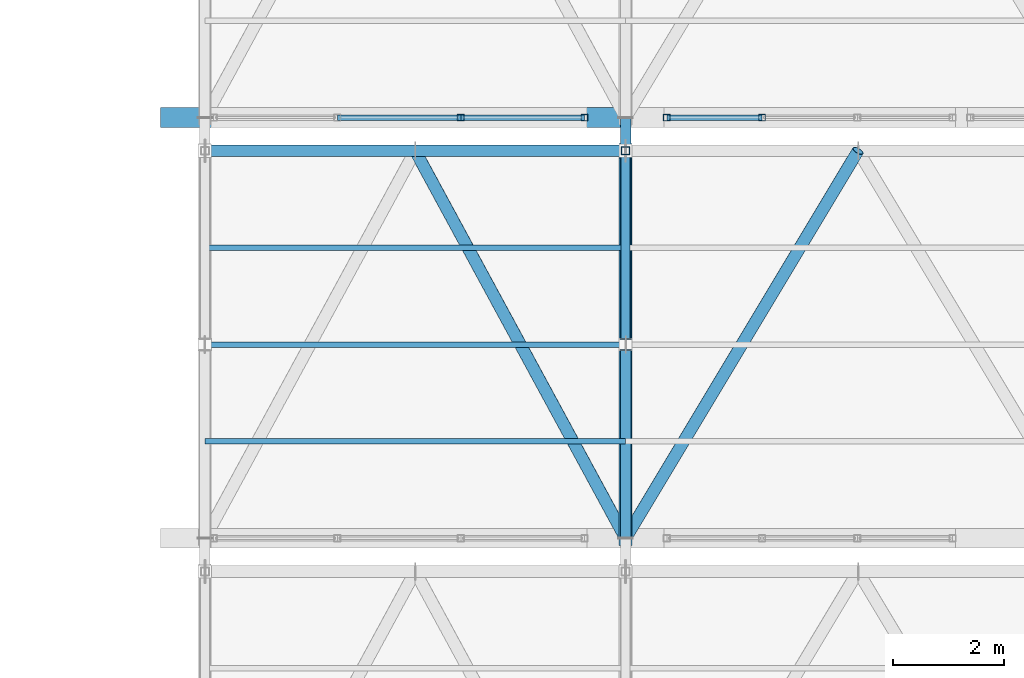
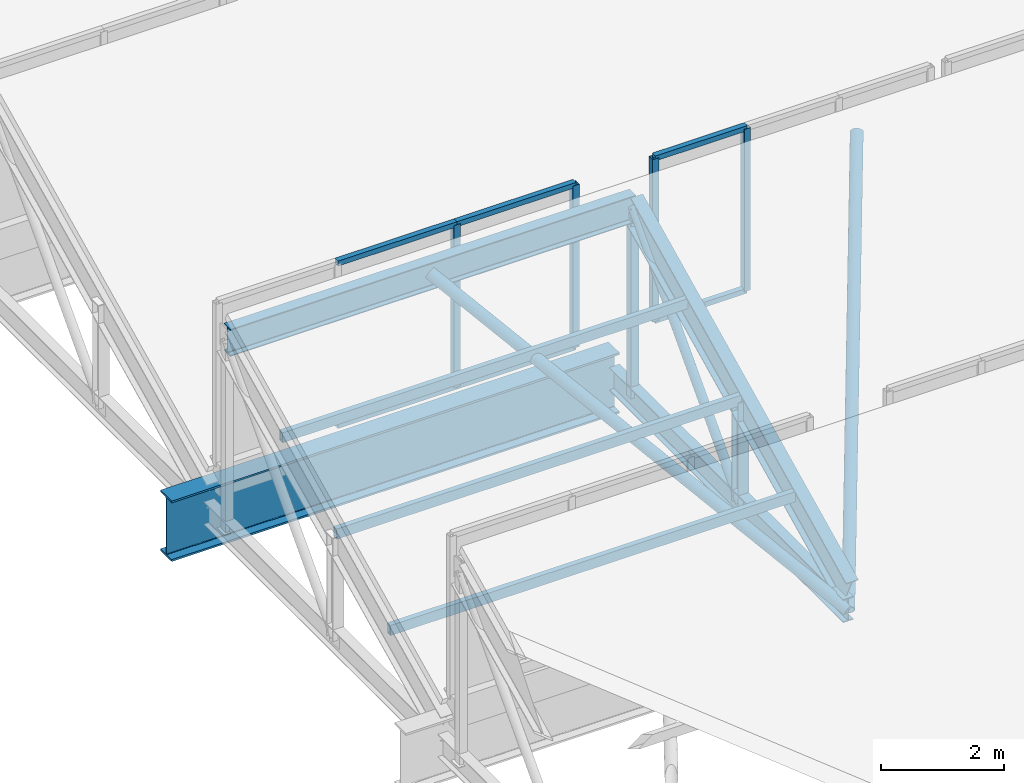
# One storey, part 8 of 57: 21 members, 1 beam, 2 elements without a shape of their own.
"""IFC4 building model written with IfcOpenShell, lengths in metres."""

from ifc_helpers import new_model, si_unit, direction, frame, origin, origin_2d, place, context, subcontext, project, spatial, hollow_rectangle, hollow_circle, i_section, extrude, material, material_profile, profile_set, type_object, element, aggregate, save


model = new_model("IFC4")

# Units and contexts
model_context = context("Model", 3, precision=1e-05, world=origin(), true_north=direction((0.0, 1.0)))
body_context = subcontext(model_context, "Body", "Model", "MODEL_VIEW")
ifc_project = project(units=[si_unit("LENGTHUNIT", "METRE"), si_unit("AREAUNIT", "SQUARE_METRE"), si_unit("VOLUMEUNIT", "CUBIC_METRE"), si_unit("PLANEANGLEUNIT", "RADIAN"), si_unit("MASSUNIT", "GRAM", prefix="KILO")], contexts=[model_context])

# Site, building, storey
site_placement = place(None, origin())
site = spatial("IfcSite", under=ifc_project, at=site_placement, CompositionType="ELEMENT")
building_placement = place(site_placement, origin())
building = spatial("IfcBuilding", under=site, at=building_placement, Name="Zuvorla Pavilion Media Centre", CompositionType="ELEMENT")
storey_placement = place(building_placement, frame((0.0, 0.0, 18.0)))
storey = spatial("IfcBuildingStorey", under=building, at=storey_placement, Name="L04", CompositionType="ELEMENT", Elevation=18.0)

# Beam
ifc_material_1 = material(Name="Steel S355", Category="steel")
ifc_material_profile_1 = material_profile(ifc_material_1, i_section(OverallWidth=0.360107421875, OverallDepth=1.199951171875, WebThickness=0.02001953125, FlangeThickness=0.0380859375, FilletRadius=0.02392578125, at=origin_2d()), Name="PG 1200x360x38")
ifc_profile_set_1 = profile_set([ifc_material_profile_1], Name="Steel S355")
beam_type = type_object("IfcBeamType", Name="BM-PG1200", PredefinedType="BEAM", material=ifc_profile_set_1)
beam_placement = place(storey_placement, frame((117.199951171875, 21.199951171875, -0.887939453125), z_axis=(1.0, 0.0, 0.0), x_axis=(0.0, 1.0, 0.0)))
element("IfcBeam", 1, at=beam_placement, inside=storey, type_object=beam_type, Name="L04 beam B01 1820", PredefinedType="BEAM", context=body_context, shape_type="SweptSolid", body=[
    extrude(i_section(OverallWidth=0.360107421875, OverallDepth=1.199951171875, WebThickness=0.02001953125, FlangeThickness=0.0380859375, FilletRadius=0.02392578125, at=origin_2d()), origin(), (0.0, 0.0, 1.0), 8.400146484375),
])

# Curtain wall, members
ifc_material_2 = material(Name="Unitised anodised aluminium and solar glass curtain wall", Category="aluminium")
curtain_wall_type_1 = type_object("IfcCurtainWallType", Name="CW-SYS-90", PredefinedType="USERDEFINED", material=ifc_material_2)
curtain_wall_1_placement = place(storey_placement, origin())
curtain_wall_1 = element("IfcCurtainWall", 2, at=curtain_wall_1_placement, inside=storey, type_object=curtain_wall_type_1, Name="L04 curtain wall CW90 230", ObjectType="CURTAIN WALL", PredefinedType="USERDEFINED")
ifc_material_3 = material(Name="Anodised aluminium 6063-T6", Category="aluminium")
ifc_material_profile_2 = material_profile(ifc_material_3, hollow_rectangle(XDim=0.1201171875, YDim=0.1201171875, WallThickness=0.0048828125, at=origin_2d()), Name="ALU MULL 120x120")
ifc_profile_set_2 = profile_set([ifc_material_profile_2], Name="Anodised aluminium 6063-T6")
member_type_1 = type_object("IfcMemberType", Name="CW-MULL-120", PredefinedType="MULLION", material=ifc_profile_set_2)
member_1_placement = place(storey_placement, frame((122.623779296875, 21.199951171875, 0.0), z_axis=(0.0, 0.0, 1.0), x_axis=(1.0, 0.0, 0.0)))
member_1 = element("IfcMember", 3, at=member_1_placement, type_object=member_type_1, Name="CW90 mullion 3", PredefinedType="MULLION", context=body_context, shape_type="SweptSolid", body=[
    extrude(hollow_rectangle(XDim=0.1201171875, YDim=0.1201171875, WallThickness=0.0048828125, at=origin_2d()), origin(), (0.0, 0.0, 1.0), 3.219970703125),
])
member_2_placement = place(storey_placement, frame((124.855712890625, 21.199951171875, 0.0), z_axis=(0.0, 0.0, 1.0), x_axis=(1.0, 0.0, 0.0)))
member_2 = element("IfcMember", 4, at=member_2_placement, type_object=member_type_1, Name="CW90 mullion 4", PredefinedType="MULLION", context=body_context, shape_type="SweptSolid", body=[
    extrude(hollow_rectangle(XDim=0.1201171875, YDim=0.1201171875, WallThickness=0.0048828125, at=origin_2d()), origin(), (0.0, 0.0, 1.0), 3.219970703125),
])

curtain_wall_type_2 = type_object("IfcCurtainWallType", Name="CW-SYS-91", PredefinedType="USERDEFINED", material=ifc_material_2)
curtain_wall_2_placement = place(storey_placement, origin())
curtain_wall_2 = element("IfcCurtainWall", 5, at=curtain_wall_2_placement, inside=storey, type_object=curtain_wall_type_2, Name="L04 curtain wall CW91 231", ObjectType="CURTAIN WALL", PredefinedType="USERDEFINED")
member_3_placement = place(storey_placement, frame((126.34423828125, 21.199951171875, 0.0), z_axis=(0.0, 0.0, 1.0), x_axis=(1.0, 0.0, 0.0)))
member_3 = element("IfcMember", 6, at=member_3_placement, type_object=member_type_1, Name="CW91 mullion 1", PredefinedType="MULLION", context=body_context, shape_type="SweptSolid", body=[
    extrude(hollow_rectangle(XDim=0.1201171875, YDim=0.1201171875, WallThickness=0.0048828125, at=origin_2d()), origin(), (0.0, 0.0, 1.0), 3.219970703125),
])
member_4_placement = place(storey_placement, frame((128.065185546875, 21.199951171875, 0.0), z_axis=(0.0, 0.0, 1.0), x_axis=(1.0, 0.0, 0.0)))
member_4 = element("IfcMember", 7, at=member_4_placement, type_object=member_type_1, Name="CW91 mullion 2", PredefinedType="MULLION", context=body_context, shape_type="SweptSolid", body=[
    extrude(hollow_rectangle(XDim=0.1201171875, YDim=0.1201171875, WallThickness=0.0048828125, at=origin_2d()), origin(), (0.0, 0.0, 1.0), 3.219970703125),
])

# Member
ifc_material_profile_3 = material_profile(ifc_material_3, hollow_rectangle(XDim=0.10009765625, YDim=0.10009765625, WallThickness=0.00439453125, at=origin_2d()), Name="ALU TRAN 100x100")
ifc_profile_set_3 = profile_set([ifc_material_profile_3], Name="Anodised aluminium 6063-T6")
member_type_2 = type_object("IfcMemberType", Name="CW-TRAN-100", PredefinedType="USERDEFINED", material=ifc_profile_set_3)
member_5_placement = place(storey_placement, frame((120.391845703125, 21.199951171875, 0.0), z_axis=(1.0, 0.0, 0.0), x_axis=(0.0, 1.0, 0.0)))
member_5 = element("IfcMember", 8, at=member_5_placement, type_object=member_type_2, Name="CW90 transom 2.1", ObjectType="TRANSOM", PredefinedType="USERDEFINED", context=body_context, shape_type="SweptSolid", body=[
    extrude(hollow_rectangle(XDim=0.10009765625, YDim=0.10009765625, WallThickness=0.00439453125, at=origin_2d()), origin(), (0.0, 0.0, 1.0), 2.23193359375),
])

member_6_placement = place(storey_placement, frame((120.391845703125, 21.199951171875, 3.219970703125), z_axis=(1.0, 0.0, 0.0), x_axis=(0.0, 1.0, 0.0)))
member_6 = element("IfcMember", 9, at=member_6_placement, type_object=member_type_2, Name="CW90 transom 2.2", ObjectType="TRANSOM", PredefinedType="USERDEFINED", context=body_context, shape_type="SweptSolid", body=[
    extrude(hollow_rectangle(XDim=0.10009765625, YDim=0.10009765625, WallThickness=0.00439453125, at=origin_2d()), origin(), (0.0, 0.0, 1.0), 2.23193359375),
])

member_7_placement = place(storey_placement, frame((122.623779296875, 21.199951171875, 0.0), z_axis=(1.0, 0.0, 0.0), x_axis=(0.0, 1.0, 0.0)))
member_7 = element("IfcMember", 10, at=member_7_placement, type_object=member_type_2, Name="CW90 transom 3.1", ObjectType="TRANSOM", PredefinedType="USERDEFINED", context=body_context, shape_type="SweptSolid", body=[
    extrude(hollow_rectangle(XDim=0.10009765625, YDim=0.10009765625, WallThickness=0.00439453125, at=origin_2d()), origin(), (0.0, 0.0, 1.0), 2.23193359375),
])

member_8_placement = place(storey_placement, frame((122.623779296875, 21.199951171875, 3.219970703125), z_axis=(1.0, 0.0, 0.0), x_axis=(0.0, 1.0, 0.0)))
member_8 = element("IfcMember", 11, at=member_8_placement, type_object=member_type_2, Name="CW90 transom 3.2", ObjectType="TRANSOM", PredefinedType="USERDEFINED", context=body_context, shape_type="SweptSolid", body=[
    extrude(hollow_rectangle(XDim=0.10009765625, YDim=0.10009765625, WallThickness=0.00439453125, at=origin_2d()), origin(), (0.0, 0.0, 1.0), 2.23193359375),
])

aggregate(curtain_wall_1, [member_1, member_2, member_5, member_6, member_7, member_8])

member_9_placement = place(storey_placement, frame((126.34423828125, 21.199951171875, 0.0), z_axis=(1.0, 0.0, 0.0), x_axis=(0.0, 1.0, 0.0)))
member_9 = element("IfcMember", 12, at=member_9_placement, type_object=member_type_2, Name="CW91 transom 1.1", ObjectType="TRANSOM", PredefinedType="USERDEFINED", context=body_context, shape_type="SweptSolid", body=[
    extrude(hollow_rectangle(XDim=0.10009765625, YDim=0.10009765625, WallThickness=0.00439453125, at=origin_2d()), origin(), (0.0, 0.0, 1.0), 1.720947265625),
])

member_10_placement = place(storey_placement, frame((126.34423828125, 21.199951171875, 3.219970703125), z_axis=(1.0, 0.0, 0.0), x_axis=(0.0, 1.0, 0.0)))
member_10 = element("IfcMember", 13, at=member_10_placement, type_object=member_type_2, Name="CW91 transom 1.2", ObjectType="TRANSOM", PredefinedType="USERDEFINED", context=body_context, shape_type="SweptSolid", body=[
    extrude(hollow_rectangle(XDim=0.10009765625, YDim=0.10009765625, WallThickness=0.00439453125, at=origin_2d()), origin(), (0.0, 0.0, 1.0), 1.720947265625),
])

aggregate(curtain_wall_2, [member_3, member_4, member_9, member_10])

# Members
ifc_material_profile_4 = material_profile(ifc_material_1, hollow_circle(Radius=0.084228515625, WallThickness=0.008056640625, at=origin_2d()), Name="CHS 168.3x8")
ifc_profile_set_4 = profile_set([ifc_material_profile_4], Name="Steel S355")
member_type_3 = type_object("IfcMemberType", Name="MEM-BRC-CHS168", PredefinedType="BRACE", material=ifc_profile_set_4)
member_11_placement = place(storey_placement, frame((125.60009765625, 17.10009765625, -0.8798828125), z_axis=(0.0, 0.681156069412, 0.732138244529), x_axis=(-1.0, 0.0, 0.0)))
element("IfcMember", 14, at=member_11_placement, inside=storey, type_object=member_type_3, Name="L04 diagonal brace TB03 566", PredefinedType="BRACE", context=body_context, shape_type="SweptSolid", body=[
    extrude(hollow_circle(Radius=0.084228515625, WallThickness=0.008056640625, at=origin_2d()), origin(), (0.0, 0.0, 1.0), 5.138427734375),
])
ifc_material_profile_5 = material_profile(ifc_material_1, hollow_circle(Radius=0.109619140625, WallThickness=0.010009765625, at=origin_2d()), Name="CHS 219.1x10")
ifc_profile_set_5 = profile_set([ifc_material_profile_5], Name="Steel S355")
member_type_4 = type_object("IfcMemberType", Name="MEM-BRC-CHS219", PredefinedType="BRACE", material=ifc_profile_set_5)
member_12_placement = place(storey_placement, frame((121.800048828125, 20.60009765625, 2.882080078125), z_axis=(0.431398513672, -0.79467126142, -0.427074827958), x_axis=(0.878850861224, 0.477096597899, 0.0)))
element("IfcMember", 15, at=member_12_placement, inside=storey, type_object=member_type_4, Name="L04 diagonal brace TB02 590", PredefinedType="BRACE", context=body_context, shape_type="SweptSolid", body=[
    extrude(hollow_circle(Radius=0.109619140625, WallThickness=0.010009765625, at=origin_2d()), origin(), (0.0, 0.0, 1.0), 8.80859375),
])
member_13_placement = place(storey_placement, frame((125.60009765625, 13.60009765625, -0.8798828125), z_axis=(0.46726169892, 0.778778552081, 0.418533716135), x_axis=(-0.857495564561, 0.514491357322, 0.0)))
element("IfcMember", 16, at=member_13_placement, inside=storey, type_object=member_type_4, Name="L04 diagonal brace TB02 595", PredefinedType="BRACE", context=body_context, shape_type="SweptSolid", body=[
    extrude(hollow_circle(Radius=0.109619140625, WallThickness=0.010009765625, at=origin_2d()), origin(), (0.0, 0.0, 1.0), 8.988525390625),
])
ifc_material_profile_6 = material_profile(ifc_material_1, i_section(OverallWidth=0.19140625, OverallDepth=0.4599609375, WebThickness=0.010009765625, FlangeThickness=0.01611328125, FilletRadius=0.01025390625, at=origin_2d()), Name="UB 457x191x82")
ifc_profile_set_6 = profile_set([ifc_material_profile_6], Name="Steel S355")
member_type_5 = type_object("IfcMemberType", Name="MEM-CHD-UB457", PredefinedType="CHORD", material=ifc_profile_set_6)
member_14_placement = place(storey_placement, frame((125.60009765625, 13.60009765625, -0.8798828125), z_axis=(0.0, 1.0, 0.0), x_axis=(-1.0, 0.0, 0.0)))
element("IfcMember", 17, at=member_14_placement, inside=storey, type_object=member_type_5, Name="L04 chord TC03 563", PredefinedType="CHORD", context=body_context, shape_type="SweptSolid", body=[
    extrude(i_section(OverallWidth=0.19140625, OverallDepth=0.4599609375, WebThickness=0.010009765625, FlangeThickness=0.01611328125, FilletRadius=0.01025390625, at=origin_2d()), origin(), (0.0, 0.0, 1.0), 7.599853515625),
])
ifc_material_profile_7 = material_profile(ifc_material_1, i_section(OverallWidth=0.2099609375, OverallDepth=0.53662109375, WebThickness=0.0107421875, FlangeThickness=0.017333984375, FilletRadius=0.0126953125, at=origin_2d()), Name="UB 533x210x101")
ifc_profile_set_7 = profile_set([ifc_material_profile_7], Name="Steel S355")
member_type_6 = type_object("IfcMemberType", Name="MEM-CHD-UB533", PredefinedType="CHORD", material=ifc_profile_set_7)
member_15_placement = place(storey_placement, frame((118.0, 20.60009765625, 2.882080078125), z_axis=(1.0, 0.0, 0.0), x_axis=(0.0, 1.0, 0.0)))
element("IfcMember", 18, at=member_15_placement, inside=storey, type_object=member_type_6, Name="L04 chord TC02 588", PredefinedType="CHORD", context=body_context, shape_type="SweptSolid", body=[
    extrude(i_section(OverallWidth=0.2099609375, OverallDepth=0.53662109375, WebThickness=0.0107421875, FlangeThickness=0.017333984375, FilletRadius=0.0126953125, at=origin_2d()), origin(), (0.0, 0.0, 1.0), 7.60009765625),
])
ifc_material_profile_8 = material_profile(ifc_material_1, i_section(OverallWidth=0.22900390625, OverallDepth=0.6123046875, WebThickness=0.011962890625, FlangeThickness=0.01953125, FilletRadius=0.0126953125, at=origin_2d()), Name="UB 610x229x125")
ifc_profile_set_8 = profile_set([ifc_material_profile_8], Name="Steel S355")
member_type_7 = type_object("IfcMemberType", Name="MEM-CHD-UB610", PredefinedType="CHORD", material=ifc_profile_set_8)
member_16_placement = place(storey_placement, frame((125.60009765625, 13.60009765625, -0.517822265625), z_axis=(0.0, 0.899513090263, 0.436893809117), x_axis=(-1.0, 0.0, 0.0)))
element("IfcMember", 19, at=member_16_placement, inside=storey, type_object=member_type_7, Name="L04 chord TC01 564", PredefinedType="CHORD", context=body_context, shape_type="SweptSolid", body=[
    extrude(i_section(OverallWidth=0.22900390625, OverallDepth=0.6123046875, WebThickness=0.011962890625, FlangeThickness=0.01953125, FilletRadius=0.0126953125, at=origin_2d()), origin(), (0.0, 0.0, 1.0), 7.781982421875),
])
ifc_material_profile_9 = material_profile(ifc_material_1, hollow_rectangle(XDim=0.10009765625, YDim=0.199951171875, WallThickness=0.008056640625, at=origin_2d()), Name="RHS 200x100x8")
ifc_profile_set_9 = profile_set([ifc_material_profile_9], Name="Steel S355")
member_type_8 = type_object("IfcMemberType", Name="MEM-PUR-RHS200", PredefinedType="PURLIN", material=ifc_profile_set_9)
for number, where, z_axis, x_axis, name in (
    (20, (118.0, 15.35009765625, 0.33203125), (1.0, 0.0, 0.0), (0.0, 1.0, 0.0), "L04 purlin PR01 591"),
    (21, (118.0, 17.10009765625, 1.18212890625), (1.0, 0.0, 0.0), (0.0, 1.0, 0.0), "L04 purlin PR01 592"),
    (22, (118.0, 18.85009765625, 2.031982421875), (1.0, 0.0, 0.0), (0.0, 1.0, 0.0), "L04 purlin PR01 593"),
):
    element("IfcMember", number, at=place(storey_placement, frame(where, z_axis=z_axis, x_axis=x_axis)), inside=storey, type_object=member_type_8, Name=name, PredefinedType="PURLIN", context=body_context, shape_type="SweptSolid", body=[
        extrude(hollow_rectangle(XDim=0.10009765625, YDim=0.199951171875, WallThickness=0.008056640625, at=origin_2d()), origin(), (0.0, 0.0, 1.0), 7.60009765625),
    ])
ifc_material_profile_10 = material_profile(ifc_material_1, hollow_rectangle(XDim=0.14990234375, YDim=0.14990234375, WallThickness=0.008056640625, at=origin_2d()), Name="SHS 150x150x8")
ifc_profile_set_10 = profile_set([ifc_material_profile_10], Name="Steel S355")
member_type_9 = type_object("IfcMemberType", Name="MEM-STR-SHS150", PredefinedType="STRUT", material=ifc_profile_set_10)
member_17_placement = place(storey_placement, frame((125.60009765625, 20.60009765625, -0.8798828125), z_axis=(0.0, 0.0, 1.0), x_axis=(1.0, 0.0, 0.0)))
element("IfcMember", 23, at=member_17_placement, inside=storey, type_object=member_type_9, Name="L04 vertical strut TS01 565", PredefinedType="STRUT", context=body_context, shape_type="SweptSolid", body=[
    extrude(hollow_rectangle(XDim=0.14990234375, YDim=0.14990234375, WallThickness=0.008056640625, at=origin_2d()), origin(), (0.0, 0.0, 1.0), 3.761962890625),
])
ifc_material_profile_11 = material_profile(ifc_material_1, i_section(OverallWidth=0.205810546875, OverallDepth=0.209716796875, WebThickness=0.009521484375, FlangeThickness=0.01416015625, FilletRadius=0.01025390625, at=origin_2d()), Name="UC 203x203x60")
ifc_profile_set_11 = profile_set([ifc_material_profile_11], Name="Steel S355")
member_type_10 = type_object("IfcMemberType", Name="MEM-STR-UC203", PredefinedType="STRUT", material=ifc_profile_set_11)
member_18_placement = place(storey_placement, frame((125.60009765625, 17.10009765625, -0.8798828125), z_axis=(0.0, 0.0, 1.0), x_axis=(1.0, 0.0, 0.0)))
element("IfcMember", 24, at=member_18_placement, inside=storey, type_object=member_type_10, Name="L04 vertical strut TS02 567", PredefinedType="STRUT", context=body_context, shape_type="SweptSolid", body=[
    extrude(i_section(OverallWidth=0.205810546875, OverallDepth=0.209716796875, WebThickness=0.009521484375, FlangeThickness=0.01416015625, FilletRadius=0.01025390625, at=origin_2d()), origin(), (0.0, 0.0, 1.0), 2.06201171875),
])

save(model, "model.ifc")
